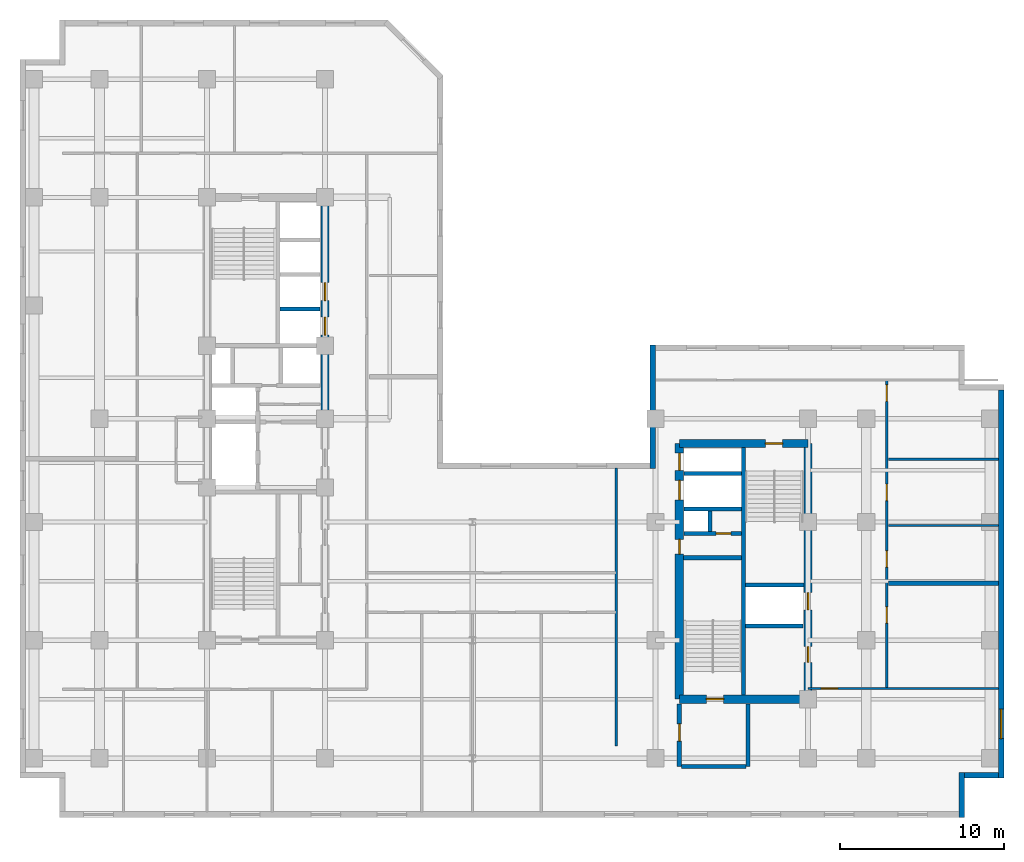
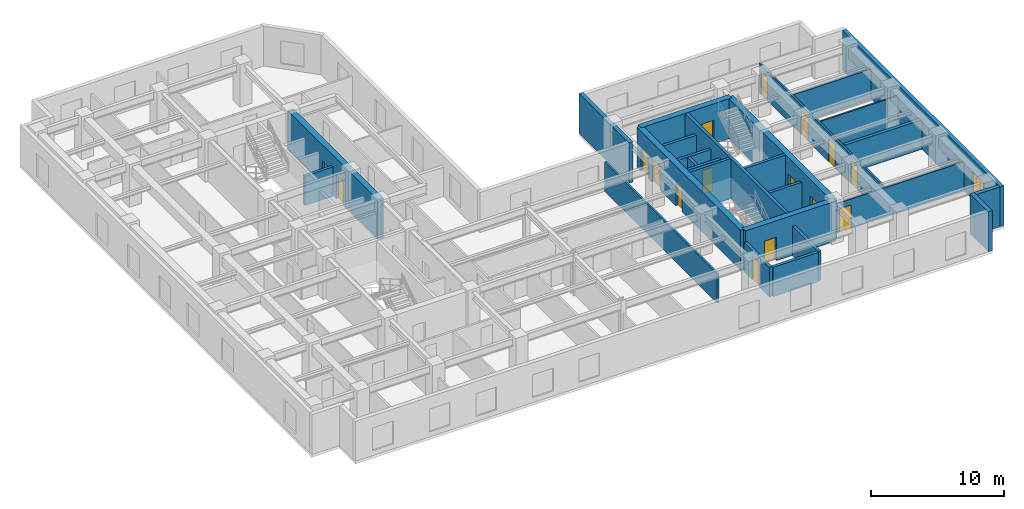
# One storey, part 5 of 10: 27 walls, 16 doors, 1 window, 17 openings.
"""IFC4 building model written with IfcOpenShell, lengths in metres."""

from ifc_helpers import new_model, entity, si_unit, converted_unit, direction, frame, origin_with_axes, origin_2d_with_axis, place, context, subcontext, project, spatial, polyline, rectangle, outline, extrude, material, layer, layer_set, type_object, element, fill, save


model = new_model("IFC4")

# Units and contexts
model_context = context("Model", 3, precision=1e-05, world=origin_with_axes(), true_north=direction((0.0, 1.0)))
body_context = subcontext(model_context, "Body", "Model", "MODEL_VIEW")
ifc_project = project(units=[si_unit("LENGTHUNIT", "METRE"), si_unit("AREAUNIT", "SQUARE_METRE"), si_unit("VOLUMEUNIT", "CUBIC_METRE"), converted_unit("PLANEANGLEUNIT", "DEGREE", entity("IfcPlaneAngleMeasure", 0.017453292519943295), si_unit("PLANEANGLEUNIT", "RADIAN"), dimensions=[0, 0, 0, 0, 0, 0, 0]), si_unit("MASSUNIT", "GRAM", prefix="KILO"), si_unit("THERMODYNAMICTEMPERATUREUNIT", "KELVIN")], contexts=[model_context])

# Site, building, storey
site_placement = place(None, origin_with_axes())
site = spatial("IfcSite", under=ifc_project, at=site_placement, CompositionType="ELEMENT")
building_placement = place(site_placement, origin_with_axes())
building = spatial("IfcBuilding", under=site, at=building_placement, Name="Varnlund Millrace Tower", CompositionType="ELEMENT")
storey_placement = place(building_placement, frame((0.0, 0.0, 179.7), z_axis=(0.0, 0.0, 1.0), x_axis=(1.0, 0.0, 0.0)))
storey = spatial("IfcBuildingStorey", under=building, at=storey_placement, Name="L44", CompositionType="ELEMENT", Elevation=179.7)

# Wall, openings, doors
ifc_material_1 = material(Name="Concrete C70/85", Category="concrete")
ifc_layer_1 = layer(ifc_material_1, 0.5, Name="Concrete C70/85")
ifc_layer_set_1 = layer_set([ifc_layer_1], Name="Concrete C70/85")
wall_type_1 = type_object("IfcWallType", Name="Type-CoreWall-Shear-500-C70", PredefinedType="SHEAR", material=ifc_layer_set_1)
wall_1_placement = place(storey_placement, frame((18.6, 24.3, 0.0), z_axis=(0.0, 0.0, 1.0), x_axis=(0.0, 1.0, 0.0)))
wall_1 = element("IfcWall", 1, at=wall_1_placement, inside=storey, type_object=wall_type_1, Name="Type-CoreWall-Shear-500-C70", PredefinedType="SHEAR", context=body_context, shape_type="SweptSolid", body=[
    extrude(outline(polyline([(0.0, -0.25), (13.5, -0.25), (13.5, 0.25), (0.0, 0.25), (0.0, -0.25)])), origin_with_axes(), (0.0, 0.0, 1.0), 3.66),
])
opening_1_placement = place(wall_1_placement, frame((5.65, 0.0, 0.0), z_axis=(0.0, 0.0, 1.0), x_axis=(1.0, 0.0, 0.0)))
opening_1 = element("IfcOpeningElement", 2, at=opening_1_placement, cuts=wall_1, Name="Opening L44:LD-ELV-M1", PredefinedType="OPENING", context=body_context, shape_type="SweptSolid", body=[
    extrude(rectangle(XDim=1.1, YDim=0.52, at=origin_2d_with_axis()), origin_with_axes(), (0.0, 0.0, 1.0), 2.15),
])
opening_2_placement = place(wall_1_placement, frame((7.75, 0.0, 0.0), z_axis=(0.0, 0.0, 1.0), x_axis=(1.0, 0.0, 0.0)))
opening_2 = element("IfcOpeningElement", 3, at=opening_2_placement, cuts=wall_1, Name="Opening L44:LD-ELV-M2", PredefinedType="OPENING", context=body_context, shape_type="SweptSolid", body=[
    extrude(rectangle(XDim=1.1, YDim=0.52, at=origin_2d_with_axis()), origin_with_axes(), (0.0, 0.0, 1.0), 2.15),
])
ifc_material_2 = material(Name="Stainless and architectural bronze sliding landing door")
door_type_1 = type_object("IfcDoorType", Name="Type-LiftLandingDoor-1100X2150", OperationType="NOTDEFINED", PredefinedType="DOOR", material=ifc_material_2)
door_1_placement = place(wall_1_placement, frame((5.65, 0.0, 0.0), z_axis=(0.0, 0.0, 1.0), x_axis=(1.0, 0.0, 0.0)))
door_1 = element("IfcDoor", 4, at=door_1_placement, inside=storey, type_object=door_type_1, Name="Type-LiftLandingDoor-1100X2150", OperationType="SLIDING_TO_LEFT", OverallHeight=2.15, OverallWidth=1.1, PredefinedType="DOOR", context=body_context, shape_type="SweptSolid", body=[
    extrude(rectangle(XDim=1.1, YDim=0.09, at=origin_2d_with_axis()), origin_with_axes(), (0.0, 0.0, 1.0), 2.15),
])
fill(opening_1, door_1)
door_2_placement = place(wall_1_placement, frame((7.75, 0.0, 0.0), z_axis=(0.0, 0.0, 1.0), x_axis=(1.0, 0.0, 0.0)))
door_2 = element("IfcDoor", 5, at=door_2_placement, inside=storey, type_object=door_type_1, Name="Type-LiftLandingDoor-1100X2150", OperationType="SLIDING_TO_RIGHT", OverallHeight=2.15, OverallWidth=1.1, PredefinedType="DOOR", context=body_context, shape_type="SweptSolid", body=[
    extrude(rectangle(XDim=1.1, YDim=0.09, at=origin_2d_with_axis()), origin_with_axes(), (0.0, 0.0, 1.0), 2.15),
])
fill(opening_2, door_2)

wall_2_placement = place(storey_placement, frame((40.2, 7.2, 0.0), z_axis=(0.0, 0.0, 1.0), x_axis=(0.0, 1.0, 0.0)))
wall_2 = element("IfcWall", 6, at=wall_2_placement, inside=storey, type_object=wall_type_1, Name="Type-CoreWall-Shear-500-C70", PredefinedType="SHEAR", context=body_context, shape_type="SweptSolid", body=[
    extrude(outline(polyline([(0.0, -0.25), (15.6, -0.25), (15.6, 0.25), (0.0, 0.25), (0.0, -0.25)])), origin_with_axes(), (0.0, 0.0, 1.0), 3.66),
])
opening_3_placement = place(wall_2_placement, frame((14.475, 0.0, 0.0), z_axis=(0.0, 0.0, 1.0), x_axis=(1.0, 0.0, 0.0)))
opening_3 = element("IfcOpeningElement", 7, at=opening_3_placement, cuts=wall_2, Name="Opening L44:LD-ELV-M4", PredefinedType="OPENING", context=body_context, shape_type="SweptSolid", body=[
    extrude(rectangle(XDim=1.05, YDim=0.52, at=origin_2d_with_axis()), origin_with_axes(), (0.0, 0.0, 1.0), 2.15),
])
opening_4_placement = place(wall_2_placement, frame((12.75, 0.0, 0.0), z_axis=(0.0, 0.0, 1.0), x_axis=(1.0, 0.0, 0.0)))
opening_4 = element("IfcOpeningElement", 8, at=opening_4_placement, cuts=wall_2, Name="Opening L44:LD-SRV2", PredefinedType="OPENING", context=body_context, shape_type="SweptSolid", body=[
    extrude(rectangle(XDim=1.2, YDim=0.52, at=origin_2d_with_axis()), origin_with_axes(), (0.0, 0.0, 1.0), 2.15),
])
opening_5_placement = place(wall_2_placement, frame((9.3, 0.0, 0.0), z_axis=(0.0, 0.0, 1.0), x_axis=(1.0, 0.0, 0.0)))
opening_5 = element("IfcOpeningElement", 9, at=opening_5_placement, cuts=wall_2, Name="Opening L44:DR-CB-JAN", PredefinedType="OPENING", context=body_context, shape_type="SweptSolid", body=[
    extrude(rectangle(XDim=0.9, YDim=0.52, at=origin_2d_with_axis()), origin_with_axes(), (0.0, 0.0, 1.0), 2.15),
])
ifc_material_3 = material(Name="Fire-rated hollow steel service closet door", Category="steel")
door_type_2 = type_object("IfcDoorType", Name="Type-FireDoor-Closet-900X2150", OperationType="NOTDEFINED", PredefinedType="DOOR", material=ifc_material_3)
door_3_placement = place(wall_2_placement, frame((9.3, 0.0, 0.0), z_axis=(0.0, 0.0, 1.0), x_axis=(1.0, 0.0, 0.0)))
door_3 = element("IfcDoor", 10, at=door_3_placement, inside=storey, type_object=door_type_2, Name="Type-FireDoor-Closet-900X2150", OperationType="SINGLE_SWING_RIGHT", OverallHeight=2.15, OverallWidth=0.9, PredefinedType="DOOR", context=body_context, shape_type="SweptSolid", body=[
    extrude(rectangle(XDim=0.9, YDim=0.09, at=origin_2d_with_axis()), origin_with_axes(), (0.0, 0.0, 1.0), 2.15),
])
fill(opening_5, door_3)
ifc_material_4 = material(Name="Architectural bronze sliding landing door")
door_type_3 = type_object("IfcDoorType", Name="Type-LiftLandingDoor-Compact-1050X2150", OperationType="NOTDEFINED", PredefinedType="DOOR", material=ifc_material_4)
door_4_placement = place(wall_2_placement, frame((14.475, 0.0, 0.0), z_axis=(0.0, 0.0, 1.0), x_axis=(1.0, 0.0, 0.0)))
door_4 = element("IfcDoor", 11, at=door_4_placement, inside=storey, type_object=door_type_3, Name="Type-LiftLandingDoor-Compact-1050X2150", OperationType="SLIDING_TO_RIGHT", OverallHeight=2.15, OverallWidth=1.05, PredefinedType="DOOR", context=body_context, shape_type="SweptSolid", body=[
    extrude(rectangle(XDim=1.05, YDim=0.09, at=origin_2d_with_axis()), origin_with_axes(), (0.0, 0.0, 1.0), 2.15),
])
fill(opening_3, door_4)
ifc_material_5 = material(Name="Heavy-duty freight sliding landing door")
door_type_4 = type_object("IfcDoorType", Name="Type-LiftLandingDoor-Service-1200X2150", OperationType="NOTDEFINED", PredefinedType="DOOR", material=ifc_material_5)
door_5_placement = place(wall_2_placement, frame((12.75, 0.0, 0.0), z_axis=(0.0, 0.0, 1.0), x_axis=(1.0, 0.0, 0.0)))
door_5 = element("IfcDoor", 12, at=door_5_placement, inside=storey, type_object=door_type_4, Name="Type-LiftLandingDoor-Service-1200X2150", OperationType="DOUBLE_DOOR_SLIDING", OverallHeight=2.15, OverallWidth=1.2, PredefinedType="DOOR", context=body_context, shape_type="SweptSolid", body=[
    extrude(rectangle(XDim=1.2, YDim=0.09, at=origin_2d_with_axis()), origin_with_axes(), (0.0, 0.0, 1.0), 2.15),
])
fill(opening_4, door_5)

# Wall, opening, door
wall_3_placement = place(storey_placement, frame((40.2, 7.2, 0.0), z_axis=(0.0, 0.0, 1.0), x_axis=(1.0, 0.0, 0.0)))
wall_3 = element("IfcWall", 13, at=wall_3_placement, inside=storey, type_object=wall_type_1, Name="Type-CoreWall-Shear-500-C70", PredefinedType="SHEAR", context=body_context, shape_type="SweptSolid", body=[
    extrude(outline(polyline([(0.0, -0.25), (7.85, -0.25), (7.85, 0.25), (0.0, 0.25), (0.0, -0.25)])), origin_with_axes(), (0.0, 0.0, 1.0), 3.66),
])
opening_6_placement = place(wall_3_placement, frame((2.175, 0.0, 0.0), z_axis=(0.0, 0.0, 1.0), x_axis=(1.0, 0.0, 0.0)))
opening_6 = element("IfcOpeningElement", 14, at=opening_6_placement, cuts=wall_3, Name="Opening L44:DR-STB1", PredefinedType="OPENING", context=body_context, shape_type="SweptSolid", body=[
    extrude(rectangle(XDim=1.05, YDim=0.52, at=origin_2d_with_axis()), origin_with_axes(), (0.0, 0.0, 1.0), 2.15),
])
ifc_material_6 = material(Name="Fire-rated hollow steel door", Category="steel")
door_type_5 = type_object("IfcDoorType", Name="Type-FireDoor-Stair-1050X2150", OperationType="NOTDEFINED", PredefinedType="DOOR", material=ifc_material_6)
door_6_placement = place(wall_3_placement, frame((2.175, 0.0, 0.0), z_axis=(0.0, 0.0, 1.0), x_axis=(1.0, 0.0, 0.0)))
door_6 = element("IfcDoor", 15, at=door_6_placement, inside=storey, type_object=door_type_5, Name="Type-FireDoor-Stair-1050X2150", OperationType="SINGLE_SWING_LEFT", OverallHeight=2.15, OverallWidth=1.05, PredefinedType="DOOR", context=body_context, shape_type="SweptSolid", body=[
    extrude(rectangle(XDim=1.05, YDim=0.09, at=origin_2d_with_axis()), origin_with_axes(), (0.0, 0.0, 1.0), 2.15),
])
fill(opening_6, door_6)

wall_4_placement = place(storey_placement, frame((40.2, 22.8, 0.0), z_axis=(0.0, 0.0, 1.0), x_axis=(1.0, 0.0, 0.0)))
wall_4 = element("IfcWall", 16, at=wall_4_placement, inside=storey, type_object=wall_type_1, Name="Type-CoreWall-Shear-500-C70", PredefinedType="SHEAR", context=body_context, shape_type="SweptSolid", body=[
    extrude(outline(polyline([(0.0, -0.25), (7.85, -0.25), (7.85, 0.25), (0.0, 0.25), (0.0, -0.25)])), origin_with_axes(), (0.0, 0.0, 1.0), 3.66),
])
opening_7_placement = place(wall_4_placement, frame((5.775, 0.0, 0.0), z_axis=(0.0, 0.0, 1.0), x_axis=(1.0, 0.0, 0.0)))
opening_7 = element("IfcOpeningElement", 17, at=opening_7_placement, cuts=wall_4, Name="Opening L44:DR-STB2", PredefinedType="OPENING", context=body_context, shape_type="SweptSolid", body=[
    extrude(rectangle(XDim=1.05, YDim=0.52, at=origin_2d_with_axis()), origin_with_axes(), (0.0, 0.0, 1.0), 2.15),
])
door_7_placement = place(wall_4_placement, frame((5.775, 0.0, 0.0), z_axis=(0.0, 0.0, 1.0), x_axis=(1.0, 0.0, 0.0)))
door_7 = element("IfcDoor", 18, at=door_7_placement, inside=storey, type_object=door_type_5, Name="Type-FireDoor-Stair-1050X2150", OperationType="SINGLE_SWING_RIGHT", OverallHeight=2.15, OverallWidth=1.05, PredefinedType="DOOR", context=body_context, shape_type="SweptSolid", body=[
    extrude(rectangle(XDim=1.05, YDim=0.09, at=origin_2d_with_axis()), origin_with_axes(), (0.0, 0.0, 1.0), 2.15),
])
fill(opening_7, door_7)

# Wall, openings, doors
wall_5_placement = place(storey_placement, frame((48.05, 7.2, 0.0), z_axis=(0.0, 0.0, 1.0), x_axis=(0.0, 1.0, 0.0)))
wall_5 = element("IfcWall", 19, at=wall_5_placement, inside=storey, type_object=wall_type_1, Name="Type-CoreWall-Shear-500-C70", PredefinedType="SHEAR", context=body_context, shape_type="SweptSolid", body=[
    extrude(outline(polyline([(0.0, -0.25), (15.6, -0.25), (15.6, 0.25), (0.0, 0.25), (0.0, -0.25)])), origin_with_axes(), (0.0, 0.0, 1.0), 3.66),
])
opening_8_placement = place(wall_5_placement, frame((5.975, 0.0, 0.0), z_axis=(0.0, 0.0, 1.0), x_axis=(1.0, 0.0, 0.0)))
opening_8 = element("IfcOpeningElement", 20, at=opening_8_placement, cuts=wall_5, Name="Opening L44:LD-ELV-M3", PredefinedType="OPENING", context=body_context, shape_type="SweptSolid", body=[
    extrude(rectangle(XDim=1.05, YDim=0.52, at=origin_2d_with_axis()), origin_with_axes(), (0.0, 0.0, 1.0), 2.15),
])
opening_9_placement = place(wall_5_placement, frame((2.725, 0.0, 0.0), z_axis=(0.0, 0.0, 1.0), x_axis=(1.0, 0.0, 0.0)))
opening_9 = element("IfcOpeningElement", 21, at=opening_9_placement, cuts=wall_5, Name="Opening L44:DR-CB-WC", PredefinedType="OPENING", context=body_context, shape_type="SweptSolid", body=[
    extrude(rectangle(XDim=0.95, YDim=0.52, at=origin_2d_with_axis()), origin_with_axes(), (0.0, 0.0, 1.0), 2.15),
])
ifc_material_7 = material(Name="Fire-rated hollow steel core service door", Category="steel")
door_type_6 = type_object("IfcDoorType", Name="Type-FireDoor-Service-950X2150", OperationType="NOTDEFINED", PredefinedType="DOOR", material=ifc_material_7)
door_8_placement = place(wall_5_placement, frame((2.725, 0.0, 0.0), z_axis=(0.0, 0.0, 1.0), x_axis=(1.0, 0.0, 0.0)))
door_8 = element("IfcDoor", 22, at=door_8_placement, inside=storey, type_object=door_type_6, Name="Type-FireDoor-Service-950X2150", OperationType="SINGLE_SWING_LEFT", OverallHeight=2.15, OverallWidth=0.95, PredefinedType="DOOR", context=body_context, shape_type="SweptSolid", body=[
    extrude(rectangle(XDim=0.95, YDim=0.09, at=origin_2d_with_axis()), origin_with_axes(), (0.0, 0.0, 1.0), 2.15),
])
fill(opening_9, door_8)
door_9_placement = place(wall_5_placement, frame((5.975, 0.0, 0.0), z_axis=(0.0, 0.0, 1.0), x_axis=(1.0, 0.0, 0.0)))
door_9 = element("IfcDoor", 23, at=door_9_placement, inside=storey, type_object=door_type_3, Name="Type-LiftLandingDoor-Compact-1050X2150", OperationType="SLIDING_TO_LEFT", OverallHeight=2.15, OverallWidth=1.05, PredefinedType="DOOR", context=body_context, shape_type="SweptSolid", body=[
    extrude(rectangle(XDim=1.05, YDim=0.09, at=origin_2d_with_axis()), origin_with_axes(), (0.0, 0.0, 1.0), 2.15),
])
fill(opening_8, door_9)

# Wall
ifc_material_8 = material(Name="Precast concrete C50/60", Category="concrete")
ifc_layer_2 = layer(ifc_material_8, 0.34, Name="Precast concrete C50/60")
ifc_layer_set_2 = layer_set([ifc_layer_2], Name="Precast concrete C50/60")
wall_type_2 = type_object("IfcWallType", Name="Type-ExtWall-Precast-Upper-340", PredefinedType="SOLIDWALL", material=ifc_layer_set_2)
wall_6_placement = place(storey_placement, frame((38.57, 21.26, 0.0), z_axis=(0.0, 0.0, 1.0), x_axis=(0.0, 1.0, 0.0)))
element("IfcWall", 24, at=wall_6_placement, inside=storey, type_object=wall_type_2, Name="Type-ExtWall-Precast-Upper-340", PredefinedType="SOLIDWALL", context=body_context, shape_type="SweptSolid", body=[
    extrude(outline(polyline([(0.0, -0.17), (7.54, -0.17), (7.54, 0.17), (0.0, 0.17), (0.0, -0.17)])), origin_with_axes(), (0.0, 0.0, 1.0), 3.66),
])

# Wall, opening, window
wall_7_placement = place(storey_placement, frame((59.83, 26.06, 0.0), z_axis=(0.0, 0.0, 1.0), x_axis=(0.0, -1.0, 0.0)))
wall_7 = element("IfcWall", 25, at=wall_7_placement, inside=storey, type_object=wall_type_2, Name="Type-ExtWall-Precast-Upper-340", PredefinedType="SOLIDWALL", context=body_context, shape_type="SweptSolid", body=[
    extrude(outline(polyline([(0.0, -0.17), (23.66, -0.17), (23.66, 0.17), (0.0, 0.17), (0.0, -0.17)])), origin_with_axes(), (0.0, 0.0, 1.0), 3.66),
])
opening_10_placement = place(wall_7_placement, frame((20.364, 0.0, 0.45), z_axis=(0.0, 0.0, 1.0), x_axis=(1.0, 0.0, 0.0)))
opening_10 = element("IfcOpeningElement", 26, at=opening_10_placement, cuts=wall_7, Name="Opening L44:WN-05", PredefinedType="OPENING", context=body_context, shape_type="SweptSolid", body=[
    extrude(rectangle(XDim=1.8, YDim=0.36, at=origin_2d_with_axis()), origin_with_axes(), (0.0, 0.0, 1.0), 2.1),
])
ifc_material_9 = material(Name="Argon low-e triple glazing in thermally broken bronze frame", Category="glass")
window_type = type_object("IfcWindowType", Name="Type-Window-Punched-1800X2100", PartitioningType="SINGLE_PANEL", PredefinedType="WINDOW", material=ifc_material_9)
window_placement = place(wall_7_placement, frame((20.364, 0.0, 0.45), z_axis=(0.0, 0.0, 1.0), x_axis=(1.0, 0.0, 0.0)))
window = element("IfcWindow", 27, at=window_placement, inside=storey, type_object=window_type, Name="Type-Window-Punched-1800X2100", OverallHeight=2.1, OverallWidth=1.8, PredefinedType="WINDOW", context=body_context, shape_type="SweptSolid", body=[
    extrude(rectangle(XDim=1.8, YDim=0.09, at=origin_2d_with_axis()), origin_with_axes(), (0.0, 0.0, 1.0), 2.1),
])
fill(opening_10, window)

# Walls
wall_8_placement = place(storey_placement, frame((59.66, 2.57, 0.0), z_axis=(0.0, 0.0, 1.0), x_axis=(-1.0, 0.0, 0.0)))
element("IfcWall", 28, at=wall_8_placement, inside=storey, type_object=wall_type_2, Name="Type-ExtWall-Precast-Upper-340", PredefinedType="SOLIDWALL", context=body_context, shape_type="SweptSolid", body=[
    extrude(outline(polyline([(0.0, -0.17), (2.06, -0.17), (2.06, 0.17), (0.0, 0.17), (0.0, -0.17)])), origin_with_axes(), (0.0, 0.0, 1.0), 3.66),
])
wall_9_placement = place(storey_placement, frame((57.43, 2.74, 0.0), z_axis=(0.0, 0.0, 1.0), x_axis=(0.0, -1.0, 0.0)))
element("IfcWall", 29, at=wall_9_placement, inside=storey, type_object=wall_type_2, Name="Type-ExtWall-Precast-Upper-340", PredefinedType="SOLIDWALL", context=body_context, shape_type="SweptSolid", body=[
    extrude(outline(polyline([(0.0, -0.17), (2.74, -0.17), (2.74, 0.17), (0.0, 0.17), (0.0, -0.17)])), origin_with_axes(), (0.0, 0.0, 1.0), 3.66),
])
ifc_material_10 = material(Name="Double-stud STC-60 conference acoustic partition", Category="gypsum")
ifc_layer_3 = layer(ifc_material_10, 0.28, Name="Double-stud STC-60 conference acoustic partition")
ifc_layer_set_3 = layer_set([ifc_layer_3], Name="Double-stud STC-60 conference acoustic partition")
wall_type_3 = type_object("IfcWallType", Name="Type-Partition-Acoustic-280", PredefinedType="PARTITIONING", material=ifc_layer_set_3)
wall_10_placement = place(storey_placement, frame((52.97, 14.259, 0.0), z_axis=(0.0, 0.0, 1.0), x_axis=(1.0, 0.0, 0.0)))
element("IfcWall", 30, at=wall_10_placement, inside=storey, type_object=wall_type_3, Name="Type-Partition-Acoustic-280", PredefinedType="PARTITIONING", context=body_context, shape_type="SweptSolid", body=[
    extrude(outline(polyline([(0.0, -0.14), (6.695, -0.14), (6.695, 0.14), (0.0, 0.14), (0.0, -0.14)])), origin_with_axes(), (0.0, 0.0, 1.0), 2.7),
])
ifc_material_11 = material(Name="Fire-rated gypsum board on cold-formed steel framing", Category="steel")
ifc_layer_4 = layer(ifc_material_11, 0.16, Name="Fire-rated gypsum board on cold-formed steel framing")
ifc_layer_set_4 = layer_set([ifc_layer_4], Name="Fire-rated gypsum board on cold-formed steel framing")
wall_type_4 = type_object("IfcWallType", Name="Type-Partition-Corridor-160", PredefinedType="PARTITIONING", material=ifc_layer_set_4)
wall_11_placement = place(storey_placement, frame((36.35, 4.35, 0.0), z_axis=(0.0, 0.0, 1.0), x_axis=(0.0, 1.0, 0.0)))
element("IfcWall", 31, at=wall_11_placement, inside=storey, type_object=wall_type_4, Name="Type-Partition-Corridor-160", PredefinedType="PARTITIONING", context=body_context, shape_type="SweptSolid", body=[
    extrude(outline(polyline([(0.0, -0.08), (16.95, -0.08), (16.95, 0.08), (0.0, 0.08), (0.0, -0.08)])), origin_with_axes(), (0.0, 0.0, 1.0), 2.7),
])

# Wall, openings, doors
wall_12_placement = place(storey_placement, frame((52.85, 7.85, 0.0), z_axis=(0.0, 0.0, 1.0), x_axis=(0.0, 1.0, 0.0)))
wall_12 = element("IfcWall", 32, at=wall_12_placement, inside=storey, type_object=wall_type_4, Name="Type-Partition-Corridor-160", PredefinedType="PARTITIONING", context=body_context, shape_type="SweptSolid", body=[
    extrude(outline(polyline([(0.0, -0.08), (18.8, -0.08), (18.8, 0.08), (0.0, 0.08), (0.0, -0.08)])), origin_with_axes(), (0.0, 0.0, 1.0), 2.7),
])
opening_11_placement = place(wall_12_placement, frame((4.485, 0.0, 0.0), z_axis=(0.0, 0.0, 1.0), x_axis=(1.0, 0.0, 0.0)))
opening_11 = element("IfcOpeningElement", 33, at=opening_11_placement, cuts=wall_12, Name="Opening L44:DR-WB-01", PredefinedType="OPENING", context=body_context, shape_type="SweptSolid", body=[
    extrude(rectangle(XDim=1.0, YDim=0.18, at=origin_2d_with_axis()), origin_with_axes(), (0.0, 0.0, 1.0), 2.15),
])
opening_12_placement = place(wall_12_placement, frame((7.897, 0.0, 0.0), z_axis=(0.0, 0.0, 1.0), x_axis=(1.0, 0.0, 0.0)))
opening_12 = element("IfcOpeningElement", 34, at=opening_12_placement, cuts=wall_12, Name="Opening L44:DR-WB-02", PredefinedType="OPENING", context=body_context, shape_type="SweptSolid", body=[
    extrude(rectangle(XDim=1.0, YDim=0.18, at=origin_2d_with_axis()), origin_with_axes(), (0.0, 0.0, 1.0), 2.15),
])
opening_13_placement = place(wall_12_placement, frame((11.964, 0.0, 0.0), z_axis=(0.0, 0.0, 1.0), x_axis=(1.0, 0.0, 0.0)))
opening_13 = element("IfcOpeningElement", 35, at=opening_13_placement, cuts=wall_12, Name="Opening L44:DR-WB-03", PredefinedType="OPENING", context=body_context, shape_type="SweptSolid", body=[
    extrude(rectangle(XDim=1.0, YDim=0.18, at=origin_2d_with_axis()), origin_with_axes(), (0.0, 0.0, 1.0), 2.15),
])
opening_14_placement = place(wall_12_placement, frame((18.011, 0.0, 0.0), z_axis=(0.0, 0.0, 1.0), x_axis=(1.0, 0.0, 0.0)))
opening_14 = element("IfcOpeningElement", 36, at=opening_14_placement, cuts=wall_12, Name="Opening L44:DR-WB-04", PredefinedType="OPENING", context=body_context, shape_type="SweptSolid", body=[
    extrude(rectangle(XDim=1.0, YDim=0.18, at=origin_2d_with_axis()), origin_with_axes(), (0.0, 0.0, 1.0), 2.15),
])
ifc_material_12 = material(Name="Solid-core white oak and bronze frame door")
door_type_7 = type_object("IfcDoorType", Name="Type-IntDoor-Office-1000X2150", OperationType="NOTDEFINED", PredefinedType="DOOR", material=ifc_material_12)
door_10_placement = place(wall_12_placement, frame((4.485, 0.0, 0.0), z_axis=(0.0, 0.0, 1.0), x_axis=(1.0, 0.0, 0.0)))
door_10 = element("IfcDoor", 37, at=door_10_placement, inside=storey, type_object=door_type_7, Name="Type-IntDoor-Office-1000X2150", OperationType="SINGLE_SWING_LEFT", OverallHeight=2.15, OverallWidth=1.0, PredefinedType="DOOR", context=body_context, shape_type="SweptSolid", body=[
    extrude(rectangle(XDim=1.0, YDim=0.09, at=origin_2d_with_axis()), origin_with_axes(), (0.0, 0.0, 1.0), 2.15),
])
fill(opening_11, door_10)
door_11_placement = place(wall_12_placement, frame((7.897, 0.0, 0.0), z_axis=(0.0, 0.0, 1.0), x_axis=(1.0, 0.0, 0.0)))
door_11 = element("IfcDoor", 38, at=door_11_placement, inside=storey, type_object=door_type_7, Name="Type-IntDoor-Office-1000X2150", OperationType="SINGLE_SWING_RIGHT", OverallHeight=2.15, OverallWidth=1.0, PredefinedType="DOOR", context=body_context, shape_type="SweptSolid", body=[
    extrude(rectangle(XDim=1.0, YDim=0.09, at=origin_2d_with_axis()), origin_with_axes(), (0.0, 0.0, 1.0), 2.15),
])
fill(opening_12, door_11)
door_12_placement = place(wall_12_placement, frame((11.964, 0.0, 0.0), z_axis=(0.0, 0.0, 1.0), x_axis=(1.0, 0.0, 0.0)))
door_12 = element("IfcDoor", 39, at=door_12_placement, inside=storey, type_object=door_type_7, Name="Type-IntDoor-Office-1000X2150", OperationType="SINGLE_SWING_LEFT", OverallHeight=2.15, OverallWidth=1.0, PredefinedType="DOOR", context=body_context, shape_type="SweptSolid", body=[
    extrude(rectangle(XDim=1.0, YDim=0.09, at=origin_2d_with_axis()), origin_with_axes(), (0.0, 0.0, 1.0), 2.15),
])
fill(opening_13, door_12)
door_13_placement = place(wall_12_placement, frame((18.011, 0.0, 0.0), z_axis=(0.0, 0.0, 1.0), x_axis=(1.0, 0.0, 0.0)))
door_13 = element("IfcDoor", 40, at=door_13_placement, inside=storey, type_object=door_type_7, Name="Type-IntDoor-Office-1000X2150", OperationType="SINGLE_SWING_RIGHT", OverallHeight=2.15, OverallWidth=1.0, PredefinedType="DOOR", context=body_context, shape_type="SweptSolid", body=[
    extrude(rectangle(XDim=1.0, YDim=0.09, at=origin_2d_with_axis()), origin_with_axes(), (0.0, 0.0, 1.0), 2.15),
])
fill(opening_14, door_13)

# Wall, opening, door
ifc_material_13 = material(Name="Gypsum board tenant partition", Category="gypsum")
ifc_layer_5 = layer(ifc_material_13, 0.125, Name="Gypsum board tenant partition")
ifc_layer_set_5 = layer_set([ifc_layer_5], Name="Gypsum board tenant partition")
wall_type_5 = type_object("IfcWallType", Name="Type-Partition-Tenant-125", PredefinedType="PARTITIONING", material=ifc_layer_set_5)
wall_13_placement = place(storey_placement, frame((59.665, 7.85, 0.0), z_axis=(0.0, 0.0, 1.0), x_axis=(-1.0, 0.0, 0.0)))
wall_13 = element("IfcWall", 41, at=wall_13_placement, inside=storey, type_object=wall_type_5, Name="Type-Partition-Tenant-125", PredefinedType="PARTITIONING", context=body_context, shape_type="SweptSolid", body=[
    extrude(outline(polyline([(0.0, -0.0625), (11.615, -0.0625), (11.615, 0.0625), (0.0, 0.0625), (0.0, -0.0625)])), origin_with_axes(), (0.0, 0.0, 1.0), 2.7),
])
opening_15_placement = place(wall_13_placement, frame((10.315, 0.0, 0.0), z_axis=(0.0, 0.0, 1.0), x_axis=(1.0, 0.0, 0.0)))
opening_15 = element("IfcOpeningElement", 42, at=opening_15_placement, cuts=wall_13, Name="Opening L44:DR-WBS-01", PredefinedType="OPENING", context=body_context, shape_type="SweptSolid", body=[
    extrude(rectangle(XDim=1.0, YDim=0.145, at=origin_2d_with_axis()), origin_with_axes(), (0.0, 0.0, 1.0), 2.15),
])
door_14_placement = place(wall_13_placement, frame((10.315, 0.0, 0.0), z_axis=(0.0, 0.0, 1.0), x_axis=(1.0, 0.0, 0.0)))
door_14 = element("IfcDoor", 43, at=door_14_placement, inside=storey, type_object=door_type_7, Name="Type-IntDoor-Office-1000X2150", OperationType="SINGLE_SWING_LEFT", OverallHeight=2.15, OverallWidth=1.0, PredefinedType="DOOR", context=body_context, shape_type="SweptSolid", body=[
    extrude(rectangle(XDim=1.0, YDim=0.075, at=origin_2d_with_axis()), origin_with_axes(), (0.0, 0.0, 1.0), 2.15),
])
fill(opening_15, door_14)

# Walls
for number, where, z_axis, x_axis, name in (
    (44, (52.97, 17.796, 0.0), (0.0, 0.0, 1.0), (1.0, 0.0, 0.0), "Type-Partition-Tenant-125"),
    (45, (52.97, 21.832, 0.0), (0.0, 0.0, 1.0), (1.0, 0.0, 0.0), "Type-Partition-Tenant-125"),
):
    element("IfcWall", number, at=place(storey_placement, frame(where, z_axis=z_axis, x_axis=x_axis)), inside=storey, type_object=wall_type_5, Name=name, PredefinedType="PARTITIONING", context=body_context, shape_type="SweptSolid", body=[
        extrude(outline(polyline([(0.0, -0.0625), (6.695, -0.0625), (6.695, 0.0625), (0.0, 0.0625), (0.0, -0.0625)])), origin_with_axes(), (0.0, 0.0, 1.0), 2.7),
    ])

# Wall, opening, door
ifc_material_14 = material(Name="Concrete C60/75", Category="concrete")
ifc_layer_6 = layer(ifc_material_14, 0.25, Name="Concrete C60/75")
ifc_layer_set_6 = layer_set([ifc_layer_6], Name="Concrete C60/75")
wall_type_6 = type_object("IfcWallType", Name="Type-ShaftWall-Fire-250", PredefinedType="SOLIDWALL", material=ifc_layer_set_6)
wall_14_placement = place(storey_placement, frame((40.5, 17.3, 0.0), z_axis=(0.0, 0.0, 1.0), x_axis=(1.0, 0.0, 0.0)))
wall_14 = element("IfcWall", 46, at=wall_14_placement, inside=storey, type_object=wall_type_6, Name="Type-ShaftWall-Fire-250", PredefinedType="SOLIDWALL", context=body_context, shape_type="SweptSolid", body=[
    extrude(outline(polyline([(0.0, -0.125), (3.5, -0.125), (3.5, 0.125), (0.0, 0.125), (0.0, -0.125)])), origin_with_axes(), (0.0, 0.0, 1.0), 2.7),
])
opening_16_placement = place(wall_14_placement, frame((2.4, 0.0, 0.0), z_axis=(0.0, 0.0, 1.0), x_axis=(1.0, 0.0, 0.0)))
opening_16 = element("IfcOpeningElement", 47, at=opening_16_placement, cuts=wall_14, Name="Opening L44:DR-CB-ELC", PredefinedType="OPENING", context=body_context, shape_type="SweptSolid", body=[
    extrude(rectangle(XDim=0.9, YDim=0.27, at=origin_2d_with_axis()), origin_with_axes(), (0.0, 0.0, 1.0), 2.15),
])
door_15_placement = place(wall_14_placement, frame((2.4, 0.0, 0.0), z_axis=(0.0, 0.0, 1.0), x_axis=(1.0, 0.0, 0.0)))
door_15 = element("IfcDoor", 48, at=door_15_placement, inside=storey, type_object=door_type_2, Name="Type-FireDoor-Closet-900X2150", OperationType="SINGLE_SWING_LEFT", OverallHeight=2.15, OverallWidth=0.9, PredefinedType="DOOR", context=body_context, shape_type="SweptSolid", body=[
    extrude(rectangle(XDim=0.9, YDim=0.09, at=origin_2d_with_axis()), origin_with_axes(), (0.0, 0.0, 1.0), 2.15),
])
fill(opening_16, door_15)

# Walls
wall_15_placement = place(storey_placement, frame((40.5, 18.8, 0.0), z_axis=(0.0, 0.0, 1.0), x_axis=(1.0, 0.0, 0.0)))
element("IfcWall", 49, at=wall_15_placement, inside=storey, type_object=wall_type_6, Name="Type-ShaftWall-Fire-250", PredefinedType="SOLIDWALL", context=body_context, shape_type="SweptSolid", body=[
    extrude(outline(polyline([(0.0, -0.125), (3.5, -0.125), (3.5, 0.125), (0.0, 0.125), (0.0, -0.125)])), origin_with_axes(), (0.0, 0.0, 1.0), 2.7),
])
wall_16_placement = place(storey_placement, frame((42.075, 17.43, 0.0), z_axis=(0.0, 0.0, 1.0), x_axis=(0.0, 1.0, 0.0)))
element("IfcWall", 50, at=wall_16_placement, inside=storey, type_object=wall_type_6, Name="Type-ShaftWall-Fire-250", PredefinedType="SOLIDWALL", context=body_context, shape_type="SweptSolid", body=[
    extrude(outline(polyline([(0.0, -0.125), (1.24, -0.125), (1.24, 0.125), (0.0, 0.125), (0.0, -0.125)])), origin_with_axes(), (0.0, 0.0, 1.0), 2.7),
])

# Wall, opening, door
wall_17_placement = place(storey_placement, frame((40.2, 3.1, 0.0), z_axis=(0.0, 0.0, 1.0), x_axis=(0.0, 1.0, 0.0)))
wall_17 = element("IfcWall", 51, at=wall_17_placement, inside=storey, type_object=wall_type_6, Name="Type-ShaftWall-Fire-250", PredefinedType="SOLIDWALL", context=body_context, shape_type="SweptSolid", body=[
    extrude(outline(polyline([(0.0, -0.125), (3.8, -0.125), (3.8, 0.125), (0.0, 0.125), (0.0, -0.125)])), origin_with_axes(), (0.0, 0.0, 1.0), 2.7),
])
opening_17_placement = place(wall_17_placement, frame((2.075, 0.0, 0.0), z_axis=(0.0, 0.0, 1.0), x_axis=(1.0, 0.0, 0.0)))
opening_17 = element("IfcOpeningElement", 52, at=opening_17_placement, cuts=wall_17, Name="Opening L44:DR-FFLOB-B", PredefinedType="OPENING", context=body_context, shape_type="SweptSolid", body=[
    extrude(rectangle(XDim=1.05, YDim=0.27, at=origin_2d_with_axis()), origin_with_axes(), (0.0, 0.0, 1.0), 2.15),
])
ifc_material_15 = material(Name="Smoke-barrier hollow steel fire door", Category="steel")
door_type_8 = type_object("IfcDoorType", Name="Type-FireDoor-Lobby-1050X2150", OperationType="NOTDEFINED", PredefinedType="DOOR", material=ifc_material_15)
door_16_placement = place(wall_17_placement, frame((2.075, 0.0, 0.0), z_axis=(0.0, 0.0, 1.0), x_axis=(1.0, 0.0, 0.0)))
door_16 = element("IfcDoor", 53, at=door_16_placement, inside=storey, type_object=door_type_8, Name="Type-FireDoor-Lobby-1050X2150", OperationType="SINGLE_SWING_LEFT", OverallHeight=2.15, OverallWidth=1.05, PredefinedType="DOOR", context=body_context, shape_type="SweptSolid", body=[
    extrude(rectangle(XDim=1.05, YDim=0.09, at=origin_2d_with_axis()), origin_with_axes(), (0.0, 0.0, 1.0), 2.15),
])
fill(opening_17, door_16)

# Walls
wall_18_placement = place(storey_placement, frame((40.325, 3.1, 0.0), z_axis=(0.0, 0.0, 1.0), x_axis=(1.0, 0.0, 0.0)))
element("IfcWall", 54, at=wall_18_placement, inside=storey, type_object=wall_type_6, Name="Type-ShaftWall-Fire-250", PredefinedType="SOLIDWALL", context=body_context, shape_type="SweptSolid", body=[
    extrude(outline(polyline([(0.0, -0.125), (3.95, -0.125), (3.95, 0.125), (0.0, 0.125), (0.0, -0.125)])), origin_with_axes(), (0.0, 0.0, 1.0), 2.7),
])
wall_19_placement = place(storey_placement, frame((44.4, 3.1, 0.0), z_axis=(0.0, 0.0, 1.0), x_axis=(0.0, 1.0, 0.0)))
element("IfcWall", 55, at=wall_19_placement, inside=storey, type_object=wall_type_6, Name="Type-ShaftWall-Fire-250", PredefinedType="SOLIDWALL", context=body_context, shape_type="SweptSolid", body=[
    extrude(outline(polyline([(0.0, -0.125), (3.8, -0.125), (3.8, 0.125), (0.0, 0.125), (0.0, -0.125)])), origin_with_axes(), (0.0, 0.0, 1.0), 2.7),
])
wall_20_placement = place(storey_placement, frame((15.84, 31.0, 0.0), z_axis=(0.0, 0.0, 1.0), x_axis=(1.0, 0.0, 0.0)))
element("IfcWall", 56, at=wall_20_placement, inside=storey, type_object=wall_type_6, Name="Type-ShaftWall-Fire-250", PredefinedType="SOLIDWALL", context=body_context, shape_type="SweptSolid", body=[
    extrude(outline(polyline([(0.0, -0.125), (2.46, -0.125), (2.46, 0.125), (0.0, 0.125), (0.0, -0.125)])), origin_with_axes(), (0.0, 0.0, 1.0), 2.7),
])
for number, where, z_axis, x_axis, name in (
    (57, (40.5, 20.96, 0.0), (0.0, 0.0, 1.0), (1.0, 0.0, 0.0), "Type-ShaftWall-Fire-250"),
    (58, (44.25, 11.66, 0.0), (0.0, 0.0, 1.0), (1.0, 0.0, 0.0), "Type-ShaftWall-Fire-250"),
):
    element("IfcWall", number, at=place(storey_placement, frame(where, z_axis=z_axis, x_axis=x_axis)), inside=storey, type_object=wall_type_6, Name=name, PredefinedType="SOLIDWALL", context=body_context, shape_type="SweptSolid", body=[
        extrude(outline(polyline([(0.0, -0.125), (3.5, -0.125), (3.5, 0.125), (0.0, 0.125), (0.0, -0.125)])), origin_with_axes(), (0.0, 0.0, 1.0), 2.7),
    ])
wall_type_7 = type_object("IfcWallType", Name="Type-StairWall-Shear-250", PredefinedType="SHEAR", material=ifc_layer_set_6)
wall_21_placement = place(storey_placement, frame((44.125, 7.45, 0.0), z_axis=(0.0, 0.0, 1.0), x_axis=(0.0, 1.0, 0.0)))
element("IfcWall", 59, at=wall_21_placement, inside=storey, type_object=wall_type_7, Name="Type-StairWall-Shear-250", PredefinedType="SHEAR", context=body_context, shape_type="SweptSolid", body=[
    extrude(outline(polyline([(0.0, -0.125), (15.1, -0.125), (15.1, 0.125), (0.0, 0.125), (0.0, -0.125)])), origin_with_axes(), (0.0, 0.0, 1.0), 3.66),
])
for number, where, z_axis, x_axis, name in (
    (60, (40.45, 15.825, 0.0), (0.0, 0.0, 1.0), (1.0, 0.0, 0.0), "Type-StairWall-Shear-250"),
    (61, (44.25, 14.175, 0.0), (0.0, 0.0, 1.0), (1.0, 0.0, 0.0), "Type-StairWall-Shear-250"),
):
    element("IfcWall", number, at=place(storey_placement, frame(where, z_axis=z_axis, x_axis=x_axis)), inside=storey, type_object=wall_type_7, Name=name, PredefinedType="SHEAR", context=body_context, shape_type="SweptSolid", body=[
        extrude(outline(polyline([(0.0, -0.125), (3.55, -0.125), (3.55, 0.125), (0.0, 0.125), (0.0, -0.125)])), origin_with_axes(), (0.0, 0.0, 1.0), 3.66),
    ])

save(model, "model.ifc")
